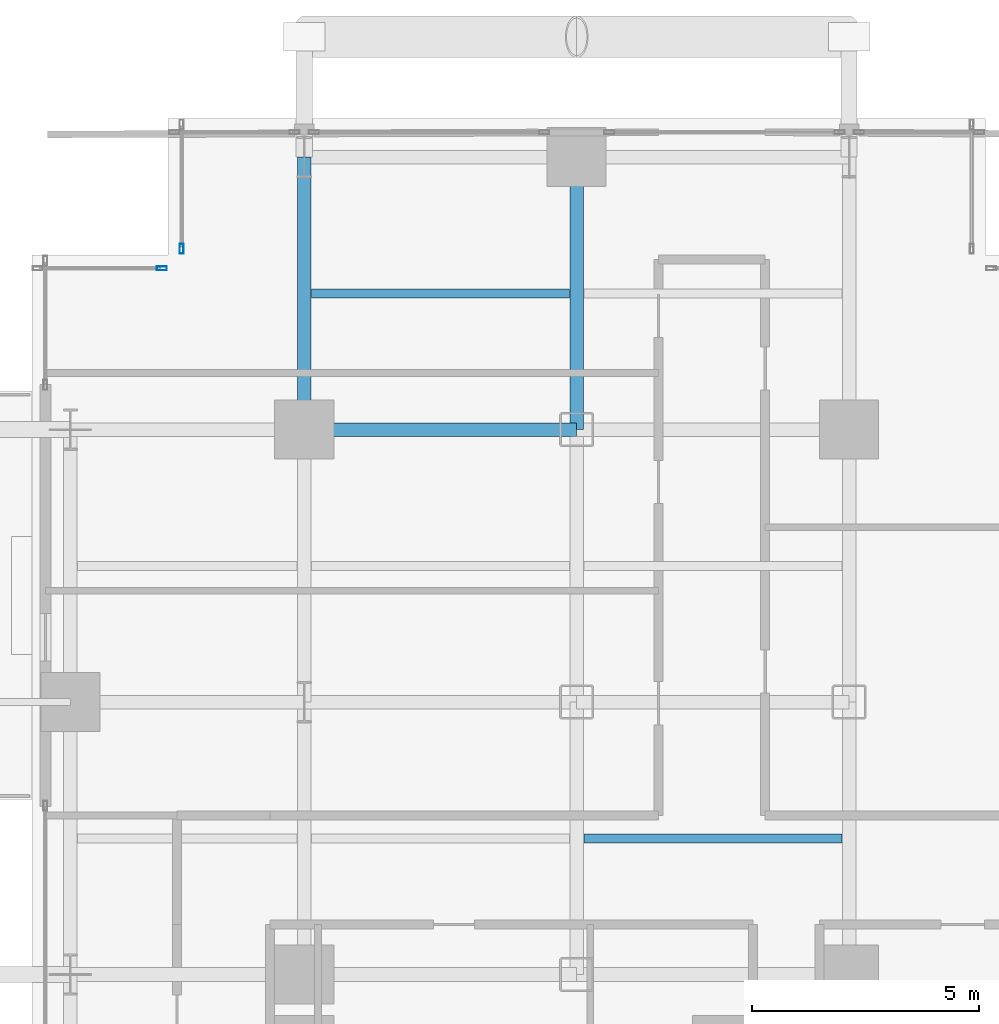
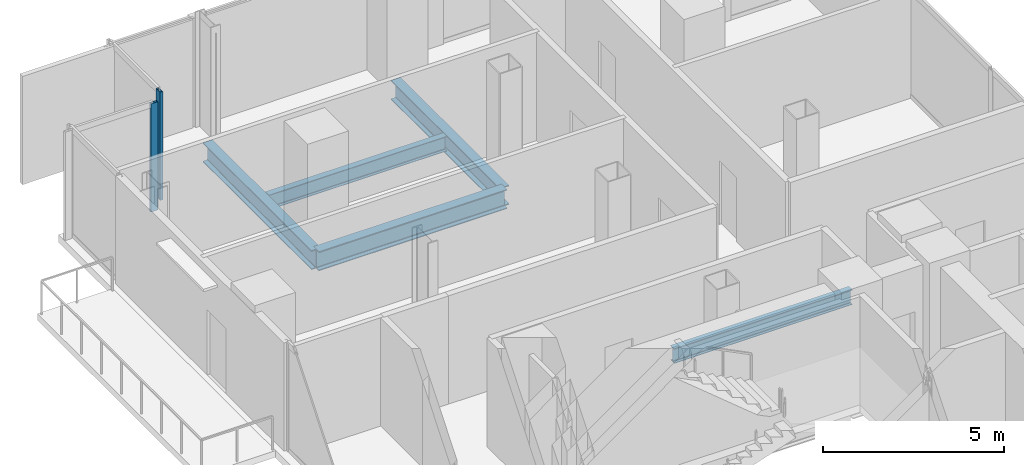
# One storey, part 14 of 27: 5 beams, 2 members, 2 elements without a shape of their own.
"""IFC4 building model written with IfcOpenShell, lengths in metres."""

from ifc_helpers import new_model, si_unit, direction, frame, origin, origin_2d, place, context, subcontext, project, spatial, hollow_rectangle, i_section, extrude, material, layer, layer_set, material_profile, profile_set, type_object, element, aggregate, save


model = new_model("IFC4")

# Units and contexts
model_context = context("Model", 3, precision=1e-05, world=origin(), true_north=direction((0.0, 1.0)))
body_context = subcontext(model_context, "Body", "Model", "MODEL_VIEW")
ifc_project = project(units=[si_unit("LENGTHUNIT", "METRE"), si_unit("AREAUNIT", "SQUARE_METRE"), si_unit("VOLUMEUNIT", "CUBIC_METRE"), si_unit("PLANEANGLEUNIT", "RADIAN"), si_unit("MASSUNIT", "GRAM", prefix="KILO"), si_unit("THERMODYNAMICTEMPERATUREUNIT", "KELVIN"), si_unit("POWERUNIT", "WATT")], contexts=[model_context])

# Site, building, storey
site_placement = place(None, origin())
site = spatial("IfcSite", under=ifc_project, at=site_placement, CompositionType="ELEMENT")
building_placement = place(site_placement, origin())
building = spatial("IfcBuilding", under=site, at=building_placement, Name="Svarakhadi Broadcast Tower", CompositionType="ELEMENT")
storey_placement = place(building_placement, frame((0.0, 0.0, 55.800048828125)))
storey = spatial("IfcBuildingStorey", under=building, at=storey_placement, Name="L12", CompositionType="ELEMENT", Elevation=55.800048828125)

# Beams
ifc_material_1 = material(Name="Steel S355J2 (IS 2062 E350C)", Category="steel")
ifc_material_profile_1 = material_profile(ifc_material_1, i_section(OverallWidth=0.199951171875, OverallDepth=0.5, WebThickness=0.01025390625, FlangeThickness=0.01611328125, FilletRadius=0.02099609375, at=origin_2d()), Name="NPB 500x200x91")
ifc_profile_set_1 = profile_set([ifc_material_profile_1], Name="Steel S355J2 (IS 2062 E350C)")
beam_type_1 = type_object("IfcBeamType", Name="Beam_NPB500", PredefinedType="BEAM", material=ifc_profile_set_1)
for number, where, z_axis, x_axis, name in (
    (1, (6.159912109375, 44.14990234375, -0.5), (1.0, 0.0, 0.0), (0.0, 1.0, 0.0), "L12 Secondary Composite Beam SB012"),
    (2, (12.159912109375, 32.14990234375, -0.5), (1.0, 0.0, 0.0), (0.0, 1.0, 0.0), "L12 Secondary Composite Beam SB016"),
):
    element("IfcBeam", number, at=place(storey_placement, frame(where, z_axis=z_axis, x_axis=x_axis)), inside=storey, type_object=beam_type_1, Name=name, PredefinedType="BEAM", context=body_context, shape_type="SweptSolid", body=[
        extrude(i_section(OverallWidth=0.199951171875, OverallDepth=0.5, WebThickness=0.01025390625, FlangeThickness=0.01611328125, FilletRadius=0.02099609375, at=origin_2d()), origin(), (0.0, 0.0, 1.0), 5.68017578125),
    ])

# Curtain wall, member
ifc_material_2 = material(Name="Anodised Bronze Aluminium AA 6063-T6", Category="aluminium")
ifc_layer = layer(ifc_material_2, 0.219970703125)
ifc_layer_set = layer_set([ifc_layer], Name="Anodised Bronze Aluminium AA 6063-T6")
curtain_wall_type = type_object("IfcCurtainWallType", Name="CW_Sys_02", PredefinedType="NOTDEFINED", material=ifc_layer_set)
curtain_wall_1_placement = place(storey_placement, origin())
curtain_wall_1 = element("IfcCurtainWall", 3, at=curtain_wall_1_placement, inside=storey, type_object=curtain_wall_type, Name="L12 Unitised Facade Curtain Wall 04", PredefinedType="NOTDEFINED")
ifc_material_profile_2 = material_profile(ifc_material_2, hollow_rectangle(XDim=0.0849609375, YDim=0.219970703125, WallThickness=0.006103515625, at=origin_2d()), Name="ALU MULLION 220x85x6")
ifc_profile_set_2 = profile_set([ifc_material_profile_2], Name="Anodised Bronze Aluminium AA 6063-T6")
member_type = type_object("IfcMemberType", Name="CW_Sys_02_Mul", PredefinedType="MULLION", material=ifc_profile_set_2)
member_1_placement = place(storey_placement, frame((2.867431640625, 44.699951171875, 0.0), z_axis=(0.0, 0.0, 1.0), x_axis=(0.0, 1.0, 0.0)))
member_1 = element("IfcMember", 4, at=member_1_placement, type_object=member_type, Name="CW-02 mullion 2", PredefinedType="MULLION", context=body_context, shape_type="SweptSolid", body=[
    extrude(hollow_rectangle(XDim=0.0849609375, YDim=0.219970703125, WallThickness=0.006103515625, at=origin_2d()), origin(), (0.0, 0.0, 1.0), 3.64990234375),
])
aggregate(curtain_wall_1, [member_1])

curtain_wall_2_placement = place(storey_placement, origin())
curtain_wall_2 = element("IfcCurtainWall", 5, at=curtain_wall_2_placement, inside=storey, type_object=curtain_wall_type, Name="L12 Unitised Facade Curtain Wall 05", PredefinedType="NOTDEFINED")
member_2_placement = place(storey_placement, frame((3.300048828125, 45.132568359375, 0.0), z_axis=(0.0, 0.0, 1.0), x_axis=(-1.0, 0.0, 0.0)))
member_2 = element("IfcMember", 6, at=member_2_placement, type_object=member_type, Name="CW-02 mullion 1", PredefinedType="MULLION", context=body_context, shape_type="SweptSolid", body=[
    extrude(hollow_rectangle(XDim=0.0849609375, YDim=0.219970703125, WallThickness=0.006103515625, at=origin_2d()), origin(), (0.0, 0.0, 1.0), 3.64990234375),
])
aggregate(curtain_wall_2, [member_2])

# Beams
ifc_material_profile_3 = material_profile(ifc_material_1, i_section(OverallWidth=0.300048828125, OverallDepth=0.64990234375, WebThickness=0.01611328125, FlangeThickness=0.031005859375, FilletRadius=0.027099609375, at=origin_2d()), Name="WPB 650x300x225")
ifc_profile_set_3 = profile_set([ifc_material_profile_3], Name="Steel S355J2 (IS 2062 E350C)")
beam_type_2 = type_object("IfcBeamType", Name="Girder_WPB650", PredefinedType="USERDEFINED", material=ifc_profile_set_3)
for number, where, z_axis, x_axis, name in (
    (7, (6.0, 41.14990234375, -0.574951171875), (1.0, 0.0, 0.0), (0.0, 1.0, 0.0), "L12 Primary E-W Girder G041"),
    (8, (6.0, 41.14990234375, -0.574951171875), (0.0, 1.0, 0.0), (-1.0, 0.0, 0.0), "L12 Primary N-S Girder G057"),
    (9, (12.0, 41.14990234375, -0.574951171875), (0.0, 1.0, 0.0), (-1.0, 0.0, 0.0), "L12 Primary N-S Girder G063"),
):
    element("IfcBeam", number, at=place(storey_placement, frame(where, z_axis=z_axis, x_axis=x_axis)), inside=storey, type_object=beam_type_2, Name=name, ObjectType="GIRDER", PredefinedType="USERDEFINED", context=body_context, shape_type="SweptSolid", body=[
        extrude(i_section(OverallWidth=0.300048828125, OverallDepth=0.64990234375, WebThickness=0.01611328125, FlangeThickness=0.031005859375, FilletRadius=0.027099609375, at=origin_2d()), origin(), (0.0, 0.0, 1.0), 6.0),
    ])

save(model, "model.ifc")
